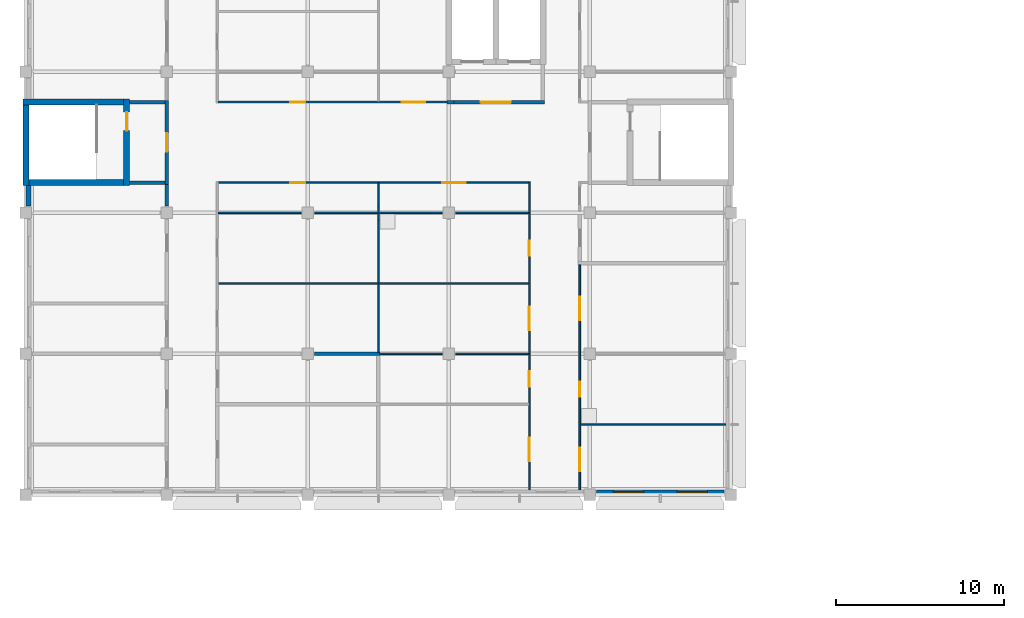
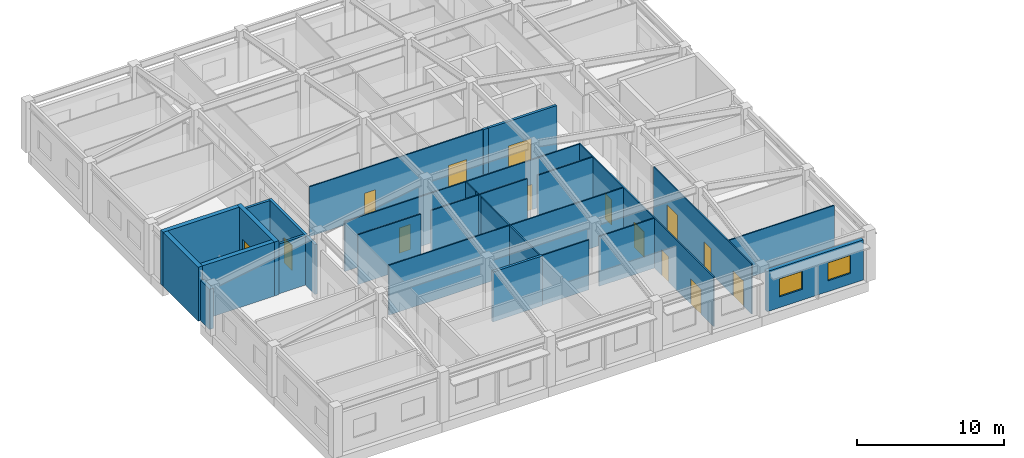
# One storey, part 56 of 136: 29 walls, 14 doors, 2 windows, 16 openings.
"""IFC4 building model written with IfcOpenShell, lengths in metres."""

import ifcopenshell
import ifcopenshell.guid

model = None  # the IFC model being written
_history = None  # IfcOwnerHistory: only IFC2X3 demands one
_inside = {}  # id of a spatial element -> (the spatial element, [elements in it])
_under = {}  # id of a project, library or spatial element -> (it, [spatial elements below it])
_declared = {}  # id of a project -> (the project, [libraries it declares])
_typed = {}  # id of a type object -> (the type object, [elements of that type])
_made_of = {}  # id of a material, layer set ... -> (it, [elements and type objects made of it])


def new_model(schema):
    """Start an empty IFC model of exactly this schema.

    Asked for "IFC4X3", IfcOpenShell would pick the latest addendum, in which some entities
    have other attributes; the version numbers below select the first issue.
    IFC2X3 requires an IfcOwnerHistory on every rooted entity: one is made here for all.
    """
    global model, _history
    if schema == "IFC4X3":
        model = ifcopenshell.file(schema_version=(4, 3, 0, 0))
    else:
        model = ifcopenshell.file(schema=schema)
    _inside.clear()
    _under.clear()
    _declared.clear()
    _typed.clear()
    _made_of.clear()
    _history = None
    if model.schema == "IFC2X3":
        org = make("IfcOrganization", Name="unknown")
        user = make(
            "IfcPersonAndOrganization",
            ThePerson=make("IfcPerson", FamilyName="unknown"),
            TheOrganization=org,
        )
        app = make(
            "IfcApplication",
            ApplicationDeveloper=org,
            Version="unknown",
            ApplicationFullName="unknown",
            ApplicationIdentifier="unknown",
        )
        _history = make(
            "IfcOwnerHistory",
            OwningUser=user,
            OwningApplication=app,
            ChangeAction="ADDED",
            CreationDate=0,
        )
    return model


def make(cls, **values):
    """One entity of the class cls with the attributes given. An attribute that is None is left unset."""
    return model.create_entity(
        cls, **{name: value for name, value in values.items() if value is not None}
    )


def rooted(cls, **values):
    """An entity with a GlobalId (a new one), such as an element, a storey or a relation."""
    return make(cls, GlobalId=ifcopenshell.guid.new(), OwnerHistory=_history, **values)


def si_unit(unit_type, name, prefix=None):
    """IfcSIUnit, for example si_unit("LENGTHUNIT", "METRE", prefix="MILLI")."""
    return make("IfcSIUnit", UnitType=unit_type, Prefix=prefix, Name=name)


def assignment(units):
    """IfcUnitAssignment: the units of a project."""
    return None if units is None else make("IfcUnitAssignment", Units=units)


def point(xyz):
    """IfcCartesianPoint."""
    return None if xyz is None else make("IfcCartesianPoint", Coordinates=xyz)


def direction(xyz):
    """IfcDirection."""
    return None if xyz is None else make("IfcDirection", DirectionRatios=xyz)


def frame(location, z_axis=None, x_axis=None):
    """IfcAxis2Placement3D, a coordinate frame: its origin and axes. An axis left out is left unset."""
    return make(
        "IfcAxis2Placement3D",
        Location=point(location),
        Axis=direction(z_axis),
        RefDirection=direction(x_axis),
    )


def frame_2d(location, x_axis=None):
    """IfcAxis2Placement2D, a coordinate frame in the plane: its origin and x axis."""
    return make(
        "IfcAxis2Placement2D", Location=point(location), RefDirection=direction(x_axis)
    )


def origin():
    """The frame at (0, 0, 0) with its axes left unset."""
    return frame((0.0, 0.0, 0.0))


def place(relative_to, where):
    """IfcLocalPlacement: puts the frame where relative to a parent placement (None: the world)."""
    return make(
        "IfcLocalPlacement", PlacementRelTo=relative_to, RelativePlacement=where
    )


def context(
    kind, dimensions, precision=None, world=None, true_north=None, identifier=None
):
    """IfcGeometricRepresentationContext, for example the 3D "Model" context."""
    return make(
        "IfcGeometricRepresentationContext",
        ContextIdentifier=identifier,
        ContextType=kind,
        CoordinateSpaceDimension=dimensions,
        Precision=precision,
        WorldCoordinateSystem=world,
        TrueNorth=true_north,
    )


def subcontext(parent, identifier, kind, view, scale=None):
    """IfcGeometricRepresentationSubContext, for example "Body" below "Model"."""
    return make(
        "IfcGeometricRepresentationSubContext",
        ContextIdentifier=identifier,
        ContextType=kind,
        ParentContext=parent,
        TargetScale=scale,
        TargetView=view,
    )


def project(units=None, contexts=None):
    """IfcProject with its units and contexts."""
    return rooted(
        "IfcProject",
        Name="project",
        RepresentationContexts=contexts,
        UnitsInContext=assignment(units),
    )


def spatial(cls, under=None, at=None, **own):
    """A site, building, storey or space (cls), placed at a placement, below another one or the project."""
    s = rooted(cls, ObjectPlacement=at, **own)
    if under is not None:
        _under.setdefault(under.id(), (under, []))[1].append(s)
    return s


def profile(cls, at=None, kind="AREA", **sizes):
    """A parametric profile (cls). Its sizes go by their IFC names, for example OverallWidth=200.0."""
    return make(cls, ProfileType=kind, Position=at, **sizes)


def rectangle(**sizes):
    """IfcRectangleProfileDef."""
    return profile("IfcRectangleProfileDef", **sizes)


def extrude(swept, where, along, depth):
    """IfcExtrudedAreaSolid: the profile swept, set in the frame where, extruded along a direction by depth."""
    return make(
        "IfcExtrudedAreaSolid",
        SweptArea=swept,
        Position=where,
        ExtrudedDirection=direction(along),
        Depth=depth,
    )


def shape(context_of_items, identifier, shape_type, items):
    """IfcShapeRepresentation: the items that make up one representation, for example the "Body"."""
    return make(
        "IfcShapeRepresentation",
        ContextOfItems=context_of_items,
        RepresentationIdentifier=identifier,
        RepresentationType=shape_type,
        Items=items,
    )


def material(Name=None, Category=None):
    """IfcMaterial."""
    return make("IfcMaterial", Name=Name, Category=Category)


def layer(
    of_material, thickness, ventilated=None, Name=None, Category=None, Priority=None
):
    """IfcMaterialLayer: one layer of a wall or slab, of a material (None: an air gap)."""
    return make(
        "IfcMaterialLayer",
        Material=of_material,
        LayerThickness=thickness,
        IsVentilated=ventilated,
        Name=Name,
        Category=Category,
        Priority=Priority,
    )


def layer_set(layers, Name=None):
    """IfcMaterialLayerSet."""
    return make("IfcMaterialLayerSet", MaterialLayers=layers, LayerSetName=Name)


def made_of(thing, what):
    """Note that an element or type object is made of a material, layer set ...; save() writes the relation."""
    if what is not None:
        _made_of.setdefault(what.id(), (what, []))[1].append(thing)
    return thing


def type_object(cls, material=None, **own):
    """A type object (cls), such as IfcWallType, which elements share."""
    return made_of(rooted(cls, **own), material)


def element(
    cls,
    number,
    at=None,
    inside=None,
    cuts=None,
    type_object=None,
    material=None,
    context=None,
    identifier="Body",
    shape_type=None,
    held_by="IfcProductDefinitionShape",
    body=None,
    shapes=None,
    **own,
):
    """One element of the class cls, such as IfcWall. Its Tag is "e" and its number.

    at: its placement. inside: the storey or other place that contains it. cuts: it is an
    opening in that element (IfcRelVoidsElement). A single representation is given by context,
    identifier, shape_type and body (its items); several are given by shapes. held_by: the class
    of the entity that holds the representations. save() writes the other relations.
    """
    e = rooted(cls, Tag="e%d" % number, ObjectPlacement=at, **own)
    if body is not None:
        shapes = [shape(context, identifier, shape_type, body)]
    if shapes is not None:
        e.Representation = make(held_by, Representations=shapes)
    if inside is not None:
        _inside.setdefault(inside.id(), (inside, []))[1].append(e)
    if cuts is not None:
        rooted(
            "IfcRelVoidsElement", RelatingBuildingElement=cuts, RelatedOpeningElement=e
        )
    if type_object is not None:
        _typed.setdefault(type_object.id(), (type_object, []))[1].append(e)
    return made_of(e, material)


def fill(opening, filler):
    """IfcRelFillsElement: the door or window that sits in an opening."""
    return rooted(
        "IfcRelFillsElement",
        RelatingOpeningElement=opening,
        RelatedBuildingElement=filler,
    )


def aggregate(whole, parts):
    """IfcRelAggregates: a whole, such as a stair, and the parts it consists of."""
    return rooted("IfcRelAggregates", RelatingObject=whole, RelatedObjects=parts)


def save(model, path):
    """Write the relations noted so far, then the file.

    IfcRelAggregates (storeys below a building ...), IfcRelContainedInSpatialStructure (elements
    in a storey), IfcRelDefinesByType, IfcRelAssociatesMaterial and IfcRelDeclares: one each for
    every whole, place, type object, material and project.
    """
    for whole, parts in _under.values():
        aggregate(whole, parts)
    for where, things in _inside.values():
        rooted(
            "IfcRelContainedInSpatialStructure",
            RelatedElements=things,
            RelatingStructure=where,
        )
    for kind, things in _typed.values():
        rooted("IfcRelDefinesByType", RelatedObjects=things, RelatingType=kind)
    for what, things in _made_of.values():
        rooted("IfcRelAssociatesMaterial", RelatedObjects=things, RelatingMaterial=what)
    for by, libraries in _declared.values():
        rooted("IfcRelDeclares", RelatingContext=by, RelatedDefinitions=libraries)
    model.write(path)


model = new_model("IFC4")

# Units and contexts
model_context = context("Model", 3, precision=1e-05, world=origin(), true_north=direction((0.0, 1.0)))
body_context = subcontext(model_context, "Body", "Model", "MODEL_VIEW")
ifc_project = project(units=[si_unit("LENGTHUNIT", "METRE"), si_unit("AREAUNIT", "SQUARE_METRE"), si_unit("VOLUMEUNIT", "CUBIC_METRE"), si_unit("PLANEANGLEUNIT", "RADIAN"), si_unit("MASSUNIT", "GRAM", prefix="KILO")], contexts=[model_context])

# Site, building, storey
site_placement = place(None, origin())
site = spatial("IfcSite", under=ifc_project, at=site_placement, CompositionType="ELEMENT")
building_placement = place(site_placement, origin())
building = spatial("IfcBuilding", under=site, at=building_placement, Name="Bougainvillea Quay General Hospital", CompositionType="ELEMENT")
storey_placement = place(building_placement, frame((0.0, 0.0, 5.39990234375)))
storey = spatial("IfcBuildingStorey", under=building, at=storey_placement, Name="L01", CompositionType="ELEMENT", Elevation=5.39990234375)

# Wall, openings, windows
ifc_material_1 = material(Name="Pale stone rainscreen cladding on insulated masonry backing, pale stone", Category="masonry")
ifc_layer_1 = layer(ifc_material_1, 0.300048828125)
ifc_layer_set_1 = layer_set([ifc_layer_1], Name="Pale stone rainscreen cladding on insulated masonry backing, pale stone")
wall_type_1 = type_object("IfcWallType", Name="External wall pale stone rainscreen 300", PredefinedType="STANDARD", material=ifc_layer_set_1)
wall_1_placement = place(storey_placement, frame((42.39990234375, 33.75, 0.0), z_axis=(0.0, 0.0, 1.0), x_axis=(1.0, 0.0, 0.0)))
wall_1 = element("IfcWall", 1, at=wall_1_placement, inside=storey, type_object=wall_type_1, Name="External wall wall/V2/L01/p0/02e", PredefinedType="STANDARD", context=body_context, shape_type="SweptSolid", body=[
    extrude(rectangle(XDim=7.60009765625, YDim=0.300048828125, at=frame_2d((3.800048828125, 0.0))), origin(), (0.0, 0.0, 1.0), 3.35009765625),
])
opening_1_placement = place(wall_1_placement, frame((1.0, 0.0, 0.89990234375)))
opening_1 = element("IfcOpeningElement", 2, at=opening_1_placement, cuts=wall_1, Name="Opening W1", PredefinedType="OPENING", context=body_context, shape_type="SweptSolid", body=[
    extrude(rectangle(XDim=1.800048828125, YDim=1.5, at=frame_2d((0.89990234375, 0.75))), frame((0.0, 0.159912109375, 0.0), z_axis=(0.0, -1.0, 0.0), x_axis=(1.0, 0.0, 0.0)), (0.0, 0.0, 1.0), 0.320068359375),
])
opening_2_placement = place(wall_1_placement, frame((4.800048828125, 0.0, 0.89990234375)))
opening_2 = element("IfcOpeningElement", 3, at=opening_2_placement, cuts=wall_1, Name="Opening W1", PredefinedType="OPENING", context=body_context, shape_type="SweptSolid", body=[
    extrude(rectangle(XDim=1.800048828125, YDim=1.5, at=frame_2d((0.89990234375, 0.75))), frame((0.0, 0.159912109375, 0.0), z_axis=(0.0, -1.0, 0.0), x_axis=(1.0, 0.0, 0.0)), (0.0, 0.0, 1.0), 0.320068359375),
])
ifc_material_2 = material(Name="Aluminium window frame with low-e double glazed unit", Category="aluminium")
window_type = type_object("IfcWindowType", Name="Window W1 1800x1500", PartitioningType="DOUBLE_PANEL_VERTICAL", PredefinedType="WINDOW", material=ifc_material_2)
window_1_placement = place(opening_1_placement, origin())
window_1 = element("IfcWindow", 4, at=window_1_placement, inside=storey, type_object=window_type, Name="Window W1 1", OverallHeight=1.5, OverallWidth=1.800048828125, PartitioningType="SINGLE_PANEL", PredefinedType="WINDOW", context=body_context, shape_type="SweptSolid", body=[
    extrude(rectangle(XDim=1.800048828125, YDim=1.5, at=frame_2d((0.89990234375, 0.75))), frame((0.0, 0.030029296875, 0.0), z_axis=(0.0, -1.0, 0.0), x_axis=(1.0, 0.0, 0.0)), (0.0, 0.0, 1.0), 0.06005859375),
])
fill(opening_1, window_1)
window_2_placement = place(opening_2_placement, origin())
window_2 = element("IfcWindow", 5, at=window_2_placement, inside=storey, type_object=window_type, Name="Window W1 2", OverallHeight=1.5, OverallWidth=1.800048828125, PartitioningType="SINGLE_PANEL", PredefinedType="WINDOW", context=body_context, shape_type="SweptSolid", body=[
    extrude(rectangle(XDim=1.800048828125, YDim=1.5, at=frame_2d((0.89990234375, 0.75))), frame((0.0, 0.030029296875, 0.0), z_axis=(0.0, -1.0, 0.0), x_axis=(1.0, 0.0, 0.0)), (0.0, 0.0, 1.0), 0.06005859375),
])
fill(opening_2, window_2)

# Wall
ifc_material_3 = material(Name="Terracotta rainscreen cladding on insulated masonry backing, terracotta", Category="masonry")
ifc_layer_2 = layer(ifc_material_3, 0.300048828125)
ifc_layer_set_2 = layer_set([ifc_layer_2], Name="Terracotta rainscreen cladding on insulated masonry backing, terracotta")
wall_type_2 = type_object("IfcWallType", Name="External wall terracotta rainscreen 300", PredefinedType="STANDARD", material=ifc_layer_set_2)
wall_2_placement = place(storey_placement, frame((8.550048828125, 52.02490234375, 0.0), z_axis=(0.0, 0.0, 1.0), x_axis=(0.0, -1.0, 0.0)))
element("IfcWall", 6, at=wall_2_placement, inside=storey, type_object=wall_type_2, Name="External wall wall/V2/L01/p0/01d", PredefinedType="STANDARD", context=body_context, shape_type="SweptSolid", body=[
    extrude(rectangle(XDim=1.224853515625, YDim=0.300048828125, at=frame_2d((0.6123046875, 0.0))), origin(), (0.0, 0.0, 1.0), 3.35009765625),
])

# Wall, openings, doors
ifc_material_4 = material(Name="Gypsum board partition on steel studs", Category="steel")
ifc_layer_3 = layer(ifc_material_4, 0.10009765625)
ifc_layer_set_3 = layer_set([ifc_layer_3], Name="Gypsum board partition on steel studs")
wall_type_3 = type_object("IfcWallType", Name="Partition 100 Gypsum board partition", PredefinedType="PARTITIONING", material=ifc_layer_set_3)
wall_3_placement = place(storey_placement, frame((38.39990234375, 52.25, 0.0), z_axis=(0.0, 0.0, 1.0), x_axis=(0.0, -1.0, 0.0)))
wall_3 = element("IfcWall", 7, at=wall_3_placement, inside=storey, type_object=wall_type_3, Name="Partition 100 mm", PredefinedType="PARTITIONING", context=body_context, shape_type="SweptSolid", body=[
    extrude(rectangle(XDim=18.35009765625, YDim=0.10009765625, at=frame_2d((9.175048828125, 0.0))), origin(), (0.0, 0.0, 1.0), 4.150146484375),
])
opening_3_placement = place(wall_3_placement, frame((3.5, 0.0, 0.0)))
opening_3 = element("IfcOpeningElement", 8, at=opening_3_placement, cuts=wall_3, Name="Opening L01.070", PredefinedType="OPENING", context=body_context, shape_type="SweptSolid", body=[
    extrude(rectangle(XDim=0.89990234375, YDim=2.10009765625, at=frame_2d((0.449951171875, 1.050048828125))), frame((0.0, 0.06005859375, 0.0), z_axis=(0.0, -1.0, 0.0), x_axis=(1.0, 0.0, 0.0)), (0.0, 0.0, 1.0), 0.1201171875),
])
opening_4_placement = place(wall_3_placement, frame((7.449951171875, 0.0, 0.0)))
opening_4 = element("IfcOpeningElement", 9, at=opening_4_placement, cuts=wall_3, Name="Opening L01.071", PredefinedType="OPENING", context=body_context, shape_type="SweptSolid", body=[
    extrude(rectangle(XDim=1.39990234375, YDim=2.10009765625, at=frame_2d((0.699951171875, 1.050048828125))), frame((0.0, 0.06005859375, 0.0), z_axis=(0.0, -1.0, 0.0), x_axis=(1.0, 0.0, 0.0)), (0.0, 0.0, 1.0), 0.1201171875),
])
opening_5_placement = place(wall_3_placement, frame((11.300048828125, 0.0, 0.0)))
opening_5 = element("IfcOpeningElement", 10, at=opening_5_placement, cuts=wall_3, Name="Opening L01.072", PredefinedType="OPENING", context=body_context, shape_type="SweptSolid", body=[
    extrude(rectangle(XDim=0.89990234375, YDim=2.10009765625, at=frame_2d((0.449951171875, 1.050048828125))), frame((0.0, 0.06005859375, 0.0), z_axis=(0.0, -1.0, 0.0), x_axis=(1.0, 0.0, 0.0)), (0.0, 0.0, 1.0), 0.1201171875),
])
opening_6_placement = place(wall_3_placement, frame((15.25, 0.0, 0.0)))
opening_6 = element("IfcOpeningElement", 11, at=opening_6_placement, cuts=wall_3, Name="Opening L01.073", PredefinedType="OPENING", context=body_context, shape_type="SweptSolid", body=[
    extrude(rectangle(XDim=1.39990234375, YDim=2.10009765625, at=frame_2d((0.699951171875, 1.050048828125))), frame((0.0, 0.06005859375, 0.0), z_axis=(0.0, -1.0, 0.0), x_axis=(1.0, 0.0, 0.0)), (0.0, 0.0, 1.0), 0.1201171875),
])
ifc_material_5 = material(Name="Solid-core timber door leaves in steel frame", Category="steel")
door_type_1 = type_object("IfcDoorType", Name="Bed door pair 1400x2100", OperationType="DOUBLE_DOOR_SINGLE_SWING", PredefinedType="DOOR", material=ifc_material_5)
door_1_placement = place(opening_4_placement, frame((1.39990234375, 0.0, 0.0), z_axis=(0.0, 0.0, 1.0), x_axis=(-1.0, 0.0, 0.0)))
door_1 = element("IfcDoor", 12, at=door_1_placement, inside=storey, type_object=door_type_1, Name="DT09 L01.071", OperationType="DOUBLE_DOOR_SINGLE_SWING", OverallHeight=2.10009765625, OverallWidth=1.39990234375, PredefinedType="DOOR", context=body_context, shape_type="SweptSolid", body=[
    extrude(rectangle(XDim=1.39990234375, YDim=2.10009765625, at=frame_2d((0.699951171875, 1.050048828125))), frame((0.0, 0.02490234375, 0.0), z_axis=(0.0, -1.0, 0.0), x_axis=(1.0, 0.0, 0.0)), (0.0, 0.0, 1.0), 0.050048828125),
])
fill(opening_4, door_1)
door_2_placement = place(opening_6_placement, frame((1.39990234375, 0.0, 0.0), z_axis=(0.0, 0.0, 1.0), x_axis=(-1.0, 0.0, 0.0)))
door_2 = element("IfcDoor", 13, at=door_2_placement, inside=storey, type_object=door_type_1, Name="DT09 L01.073", OperationType="DOUBLE_DOOR_SINGLE_SWING", OverallHeight=2.10009765625, OverallWidth=1.39990234375, PredefinedType="DOOR", context=body_context, shape_type="SweptSolid", body=[
    extrude(rectangle(XDim=1.39990234375, YDim=2.10009765625, at=frame_2d((0.699951171875, 1.050048828125))), frame((0.0, 0.02490234375, 0.0), z_axis=(0.0, -1.0, 0.0), x_axis=(1.0, 0.0, 0.0)), (0.0, 0.0, 1.0), 0.050048828125),
])
fill(opening_6, door_2)
ifc_material_6 = material(Name="Solid-core timber door leaf in steel frame", Category="steel")
door_type_2 = type_object("IfcDoorType", Name="Single leaf door 900x2100", OperationType="NOTDEFINED", PredefinedType="DOOR", material=ifc_material_6)
door_3_placement = place(opening_3_placement, frame((0.89990234375, 0.0, 0.0), z_axis=(0.0, 0.0, 1.0), x_axis=(-1.0, 0.0, 0.0)))
door_3 = element("IfcDoor", 14, at=door_3_placement, inside=storey, type_object=door_type_2, Name="DT07 L01.070", OperationType="SINGLE_SWING_RIGHT", OverallHeight=2.10009765625, OverallWidth=0.89990234375, PredefinedType="DOOR", context=body_context, shape_type="SweptSolid", body=[
    extrude(rectangle(XDim=0.89990234375, YDim=2.10009765625, at=frame_2d((0.449951171875, 1.050048828125))), frame((0.0, 0.02490234375, 0.0), z_axis=(0.0, -1.0, 0.0), x_axis=(1.0, 0.0, 0.0)), (0.0, 0.0, 1.0), 0.050048828125),
])
fill(opening_3, door_3)
door_4_placement = place(opening_5_placement, frame((0.89990234375, 0.0, 0.0), z_axis=(0.0, 0.0, 1.0), x_axis=(-1.0, 0.0, 0.0)))
door_4 = element("IfcDoor", 15, at=door_4_placement, inside=storey, type_object=door_type_2, Name="DT07 L01.072", OperationType="SINGLE_SWING_LEFT", OverallHeight=2.10009765625, OverallWidth=0.89990234375, PredefinedType="DOOR", context=body_context, shape_type="SweptSolid", body=[
    extrude(rectangle(XDim=0.89990234375, YDim=2.10009765625, at=frame_2d((0.449951171875, 1.050048828125))), frame((0.0, 0.02490234375, 0.0), z_axis=(0.0, -1.0, 0.0), x_axis=(1.0, 0.0, 0.0)), (0.0, 0.0, 1.0), 0.050048828125),
])
fill(opening_5, door_4)

# Walls
wall_4_placement = place(storey_placement, frame((19.85009765625, 46.199951171875, 0.0), z_axis=(0.0, 0.0, 1.0), x_axis=(1.0, 0.0, 0.0)))
element("IfcWall", 16, at=wall_4_placement, inside=storey, type_object=wall_type_3, Name="Partition 100 mm", PredefinedType="PARTITIONING", context=body_context, shape_type="SweptSolid", body=[
    extrude(rectangle(XDim=18.5, YDim=0.10009765625, at=frame_2d((9.25, 0.0))), origin(), (0.0, 0.0, 1.0), 4.150146484375),
])
wall_5_placement = place(storey_placement, frame((19.85009765625, 50.39990234375, 0.0), z_axis=(0.0, 0.0, 1.0), x_axis=(1.0, 0.0, 0.0)))
element("IfcWall", 17, at=wall_5_placement, inside=storey, type_object=wall_type_3, Name="Partition 100 mm", PredefinedType="PARTITIONING", context=body_context, shape_type="SweptSolid", body=[
    extrude(rectangle(XDim=4.949951171875, YDim=0.10009765625, at=frame_2d((2.47509765625, 0.0))), origin(), (0.0, 0.0, 1.0), 4.150146484375),
])
wall_6_placement = place(storey_placement, frame((25.60009765625, 50.39990234375, 0.0), z_axis=(0.0, 0.0, 1.0), x_axis=(1.0, 0.0, 0.0)))
element("IfcWall", 18, at=wall_6_placement, inside=storey, type_object=wall_type_3, Name="Partition 100 mm", PredefinedType="PARTITIONING", context=body_context, shape_type="SweptSolid", body=[
    extrude(rectangle(XDim=7.599853515625, YDim=0.10009765625, at=frame_2d((3.7998046875, 0.0))), origin(), (0.0, 0.0, 1.0), 4.150146484375),
])
wall_7_placement = place(storey_placement, frame((34.0, 50.39990234375, 0.0), z_axis=(0.0, 0.0, 1.0), x_axis=(1.0, 0.0, 0.0)))
element("IfcWall", 19, at=wall_7_placement, inside=storey, type_object=wall_type_3, Name="Partition 100 mm", PredefinedType="PARTITIONING", context=body_context, shape_type="SweptSolid", body=[
    extrude(rectangle(XDim=4.35009765625, YDim=0.10009765625, at=frame_2d((2.175048828125, 0.0))), origin(), (0.0, 0.0, 1.0), 4.150146484375),
])

# Wall, openings, doors
wall_8_placement = place(storey_placement, frame((19.85009765625, 52.199951171875, 0.0), z_axis=(0.0, 0.0, 1.0), x_axis=(1.0, 0.0, 0.0)))
wall_8 = element("IfcWall", 20, at=wall_8_placement, inside=storey, type_object=wall_type_3, Name="Partition 100 mm", PredefinedType="PARTITIONING", context=body_context, shape_type="SweptSolid", body=[
    extrude(rectangle(XDim=18.5, YDim=0.10009765625, at=frame_2d((9.25, 0.0))), origin(), (0.0, 0.0, 1.0), 4.150146484375),
])
opening_7_placement = place(wall_8_placement, frame((4.300048828125, 0.0, 0.0)))
opening_7 = element("IfcOpeningElement", 21, at=opening_7_placement, cuts=wall_8, Name="Opening L01.064", PredefinedType="OPENING", context=body_context, shape_type="SweptSolid", body=[
    extrude(rectangle(XDim=0.89990234375, YDim=2.10009765625, at=frame_2d((0.449951171875, 1.050048828125))), frame((0.0, 0.06005859375, 0.0), z_axis=(0.0, -1.0, 0.0), x_axis=(1.0, 0.0, 0.0)), (0.0, 0.0, 1.0), 0.1201171875),
])
opening_8_placement = place(wall_8_placement, frame((13.35009765625, 0.0, 0.0)))
opening_8 = element("IfcOpeningElement", 22, at=opening_8_placement, cuts=wall_8, Name="Opening L01.069", PredefinedType="OPENING", context=body_context, shape_type="SweptSolid", body=[
    extrude(rectangle(XDim=1.39990234375, YDim=2.10009765625, at=frame_2d((0.699951171875, 1.050048828125))), frame((0.0, 0.06005859375, 0.0), z_axis=(0.0, -1.0, 0.0), x_axis=(1.0, 0.0, 0.0)), (0.0, 0.0, 1.0), 0.1201171875),
])
door_5_placement = place(opening_8_placement, frame((1.39990234375, 0.0, 0.0), z_axis=(0.0, 0.0, 1.0), x_axis=(-1.0, 0.0, 0.0)))
door_5 = element("IfcDoor", 23, at=door_5_placement, inside=storey, type_object=door_type_1, Name="DT09 L01.069", OperationType="DOUBLE_DOOR_SINGLE_SWING", OverallHeight=2.10009765625, OverallWidth=1.39990234375, PredefinedType="DOOR", context=body_context, shape_type="SweptSolid", body=[
    extrude(rectangle(XDim=1.39990234375, YDim=2.10009765625, at=frame_2d((0.699951171875, 1.050048828125))), frame((0.0, 0.02490234375, 0.0), z_axis=(0.0, -1.0, 0.0), x_axis=(1.0, 0.0, 0.0)), (0.0, 0.0, 1.0), 0.050048828125),
])
fill(opening_8, door_5)
door_6_placement = place(opening_7_placement, frame((0.89990234375, 0.0, 0.0), z_axis=(0.0, 0.0, 1.0), x_axis=(-1.0, 0.0, 0.0)))
door_6 = element("IfcDoor", 24, at=door_6_placement, inside=storey, type_object=door_type_2, Name="DT07 L01.064", OperationType="SINGLE_SWING_RIGHT", OverallHeight=2.10009765625, OverallWidth=0.89990234375, PredefinedType="DOOR", context=body_context, shape_type="SweptSolid", body=[
    extrude(rectangle(XDim=0.89990234375, YDim=2.10009765625, at=frame_2d((0.449951171875, 1.050048828125))), frame((0.0, 0.02490234375, 0.0), z_axis=(0.0, -1.0, 0.0), x_axis=(1.0, 0.0, 0.0)), (0.0, 0.0, 1.0), 0.050048828125),
])
fill(opening_7, door_6)

wall_9_placement = place(storey_placement, frame((19.85009765625, 57.0, 0.0), z_axis=(0.0, 0.0, 1.0), x_axis=(1.0, 0.0, 0.0)))
wall_9 = element("IfcWall", 25, at=wall_9_placement, inside=storey, type_object=wall_type_3, Name="Partition 100 mm", PredefinedType="PARTITIONING", context=body_context, shape_type="SweptSolid", body=[
    extrude(rectangle(XDim=13.64990234375, YDim=0.10009765625, at=frame_2d((6.824951171875, 0.0))), origin(), (0.0, 0.0, 1.0), 4.150146484375),
])
opening_9_placement = place(wall_9_placement, frame((4.300048828125, 0.0, 0.0)))
opening_9 = element("IfcOpeningElement", 26, at=opening_9_placement, cuts=wall_9, Name="Opening L01.083", PredefinedType="OPENING", context=body_context, shape_type="SweptSolid", body=[
    extrude(rectangle(XDim=0.89990234375, YDim=2.10009765625, at=frame_2d((0.449951171875, 1.050048828125))), frame((0.0, 0.06005859375, 0.0), z_axis=(0.0, -1.0, 0.0), x_axis=(1.0, 0.0, 0.0)), (0.0, 0.0, 1.0), 0.1201171875),
])
opening_10_placement = place(wall_9_placement, frame((10.949951171875, 0.0, 0.0)))
opening_10 = element("IfcOpeningElement", 27, at=opening_10_placement, cuts=wall_9, Name="Opening L01.088", PredefinedType="OPENING", context=body_context, shape_type="SweptSolid", body=[
    extrude(rectangle(XDim=1.39990234375, YDim=2.10009765625, at=frame_2d((0.699951171875, 1.050048828125))), frame((0.0, 0.06005859375, 0.0), z_axis=(0.0, -1.0, 0.0), x_axis=(1.0, 0.0, 0.0)), (0.0, 0.0, 1.0), 0.1201171875),
])
door_7_placement = place(opening_10_placement, origin())
door_7 = element("IfcDoor", 28, at=door_7_placement, inside=storey, type_object=door_type_1, Name="DT09 L01.088", OperationType="DOUBLE_DOOR_SINGLE_SWING", OverallHeight=2.10009765625, OverallWidth=1.39990234375, PredefinedType="DOOR", context=body_context, shape_type="SweptSolid", body=[
    extrude(rectangle(XDim=1.39990234375, YDim=2.10009765625, at=frame_2d((0.699951171875, 1.050048828125))), frame((0.0, 0.02490234375, 0.0), z_axis=(0.0, -1.0, 0.0), x_axis=(1.0, 0.0, 0.0)), (0.0, 0.0, 1.0), 0.050048828125),
])
fill(opening_10, door_7)
door_8_placement = place(opening_9_placement, origin())
door_8 = element("IfcDoor", 29, at=door_8_placement, inside=storey, type_object=door_type_2, Name="DT07 L01.083", OperationType="SINGLE_SWING_LEFT", OverallHeight=2.10009765625, OverallWidth=0.89990234375, PredefinedType="DOOR", context=body_context, shape_type="SweptSolid", body=[
    extrude(rectangle(XDim=0.89990234375, YDim=2.10009765625, at=frame_2d((0.449951171875, 1.050048828125))), frame((0.0, 0.02490234375, 0.0), z_axis=(0.0, -1.0, 0.0), x_axis=(1.0, 0.0, 0.0)), (0.0, 0.0, 1.0), 0.050048828125),
])
fill(opening_9, door_8)

wall_10_placement = place(storey_placement, frame((41.39990234375, 47.300048828125, 0.0), z_axis=(0.0, 0.0, 1.0), x_axis=(0.0, -1.0, 0.0)))
wall_10 = element("IfcWall", 30, at=wall_10_placement, inside=storey, type_object=wall_type_3, Name="Partition 100 mm", PredefinedType="PARTITIONING", context=body_context, shape_type="SweptSolid", body=[
    extrude(rectangle(XDim=13.400146484375, YDim=0.10009765625, at=frame_2d((6.7001953125, 0.0))), origin(), (0.0, 0.0, 1.0), 4.150146484375),
])
opening_11_placement = place(wall_10_placement, frame((1.89990234375, 0.0, 0.0)))
opening_11 = element("IfcOpeningElement", 31, at=opening_11_placement, cuts=wall_10, Name="Opening L01.076", PredefinedType="OPENING", context=body_context, shape_type="SweptSolid", body=[
    extrude(rectangle(XDim=1.39990234375, YDim=2.10009765625, at=frame_2d((0.699951171875, 1.050048828125))), frame((0.0, 0.06005859375, 0.0), z_axis=(0.0, -1.0, 0.0), x_axis=(1.0, 0.0, 0.0)), (0.0, 0.0, 1.0), 0.1201171875),
])
opening_12_placement = place(wall_10_placement, frame((6.949951171875, 0.0, 0.0)))
opening_12 = element("IfcOpeningElement", 32, at=opening_12_placement, cuts=wall_10, Name="Opening L01.077", PredefinedType="OPENING", context=body_context, shape_type="SweptSolid", body=[
    extrude(rectangle(XDim=0.89990234375, YDim=2.10009765625, at=frame_2d((0.449951171875, 1.050048828125))), frame((0.0, 0.06005859375, 0.0), z_axis=(0.0, -1.0, 0.0), x_axis=(1.0, 0.0, 0.0)), (0.0, 0.0, 1.0), 0.1201171875),
])
opening_13_placement = place(wall_10_placement, frame((10.89990234375, 0.0, 0.0)))
opening_13 = element("IfcOpeningElement", 33, at=opening_13_placement, cuts=wall_10, Name="Opening L01.078", PredefinedType="OPENING", context=body_context, shape_type="SweptSolid", body=[
    extrude(rectangle(XDim=1.39990234375, YDim=2.10009765625, at=frame_2d((0.699951171875, 1.050048828125))), frame((0.0, 0.06005859375, 0.0), z_axis=(0.0, -1.0, 0.0), x_axis=(1.0, 0.0, 0.0)), (0.0, 0.0, 1.0), 0.1201171875),
])
door_9_placement = place(opening_11_placement, origin())
door_9 = element("IfcDoor", 34, at=door_9_placement, inside=storey, type_object=door_type_1, Name="DT09 L01.076", OperationType="DOUBLE_DOOR_SINGLE_SWING", OverallHeight=2.10009765625, OverallWidth=1.39990234375, PredefinedType="DOOR", context=body_context, shape_type="SweptSolid", body=[
    extrude(rectangle(XDim=1.39990234375, YDim=2.10009765625, at=frame_2d((0.699951171875, 1.050048828125))), frame((0.0, 0.02490234375, 0.0), z_axis=(0.0, -1.0, 0.0), x_axis=(1.0, 0.0, 0.0)), (0.0, 0.0, 1.0), 0.050048828125),
])
fill(opening_11, door_9)
door_10_placement = place(opening_13_placement, origin())
door_10 = element("IfcDoor", 35, at=door_10_placement, inside=storey, type_object=door_type_1, Name="DT09 L01.078", OperationType="DOUBLE_DOOR_SINGLE_SWING", OverallHeight=2.10009765625, OverallWidth=1.39990234375, PredefinedType="DOOR", context=body_context, shape_type="SweptSolid", body=[
    extrude(rectangle(XDim=1.39990234375, YDim=2.10009765625, at=frame_2d((0.699951171875, 1.050048828125))), frame((0.0, 0.02490234375, 0.0), z_axis=(0.0, -1.0, 0.0), x_axis=(1.0, 0.0, 0.0)), (0.0, 0.0, 1.0), 0.050048828125),
])
fill(opening_13, door_10)
door_11_placement = place(opening_12_placement, origin())
door_11 = element("IfcDoor", 36, at=door_11_placement, inside=storey, type_object=door_type_2, Name="DT07 L01.077", OperationType="SINGLE_SWING_RIGHT", OverallHeight=2.10009765625, OverallWidth=0.89990234375, PredefinedType="DOOR", context=body_context, shape_type="SweptSolid", body=[
    extrude(rectangle(XDim=0.89990234375, YDim=2.10009765625, at=frame_2d((0.449951171875, 1.050048828125))), frame((0.0, 0.02490234375, 0.0), z_axis=(0.0, -1.0, 0.0), x_axis=(1.0, 0.0, 0.0)), (0.0, 0.0, 1.0), 0.050048828125),
])
fill(opening_12, door_11)

# Walls
wall_11_placement = place(storey_placement, frame((29.39990234375, 52.14990234375, 0.0), z_axis=(0.0, 0.0, 1.0), x_axis=(0.0, -1.0, 0.0)))
element("IfcWall", 37, at=wall_11_placement, inside=storey, type_object=wall_type_3, Name="Partition 100 mm", PredefinedType="PARTITIONING", context=body_context, shape_type="SweptSolid", body=[
    extrude(rectangle(XDim=1.349853515625, YDim=0.10009765625, at=frame_2d((0.6748046875, 0.0))), origin(), (0.0, 0.0, 1.0), 4.150146484375),
])
for number, where, z_axis, x_axis, name in (
    (38, (29.39990234375, 50.800048828125, 0.0), (0.0, 0.0, 1.0), (0.0, -1.0, 0.0), "Partition 100 mm"),
    (39, (29.39990234375, 50.35009765625, 0.0), (0.0, 0.0, 1.0), (0.0, -1.0, 0.0), "Partition 100 mm"),
):
    element("IfcWall", number, at=place(storey_placement, frame(where, z_axis=z_axis, x_axis=x_axis)), inside=storey, type_object=wall_type_3, Name=name, PredefinedType="PARTITIONING", context=body_context, shape_type="SweptSolid", body=[
        extrude(rectangle(XDim=0.35009765625, YDim=0.10009765625, at=frame_2d((0.175048828125, 0.0))), origin(), (0.0, 0.0, 1.0), 4.150146484375),
    ])
wall_12_placement = place(storey_placement, frame((29.39990234375, 50.0, 0.0), z_axis=(0.0, 0.0, 1.0), x_axis=(0.0, -1.0, 0.0)))
element("IfcWall", 40, at=wall_12_placement, inside=storey, type_object=wall_type_3, Name="Partition 100 mm", PredefinedType="PARTITIONING", context=body_context, shape_type="SweptSolid", body=[
    extrude(rectangle(XDim=3.75, YDim=0.10009765625, at=frame_2d((1.875, 0.0))), origin(), (0.0, 0.0, 1.0), 4.150146484375),
])
wall_13_placement = place(storey_placement, frame((29.39990234375, 46.14990234375, 0.0), z_axis=(0.0, 0.0, 1.0), x_axis=(0.0, -1.0, 0.0)))
element("IfcWall", 41, at=wall_13_placement, inside=storey, type_object=wall_type_3, Name="Partition 100 mm", PredefinedType="PARTITIONING", context=body_context, shape_type="SweptSolid", body=[
    extrude(rectangle(XDim=4.0498046875, YDim=0.10009765625, at=frame_2d((2.02490234375, 0.0))), origin(), (0.0, 0.0, 1.0), 4.150146484375),
])
wall_14_placement = place(storey_placement, frame((29.5, 42.0, 0.0), z_axis=(0.0, 0.0, 1.0), x_axis=(1.0, 0.0, 0.0)))
element("IfcWall", 42, at=wall_14_placement, inside=storey, type_object=wall_type_3, Name="Partition 100 mm", PredefinedType="PARTITIONING", context=body_context, shape_type="SweptSolid", body=[
    extrude(rectangle(XDim=3.699951171875, YDim=0.10009765625, at=frame_2d((1.85009765625, 0.0))), origin(), (0.0, 0.0, 1.0), 4.150146484375),
])
wall_15_placement = place(storey_placement, frame((34.0, 42.0, 0.0), z_axis=(0.0, 0.0, 1.0), x_axis=(1.0, 0.0, 0.0)))
element("IfcWall", 43, at=wall_15_placement, inside=storey, type_object=wall_type_3, Name="Partition 100 mm", PredefinedType="PARTITIONING", context=body_context, shape_type="SweptSolid", body=[
    extrude(rectangle(XDim=4.35009765625, YDim=0.10009765625, at=frame_2d((2.175048828125, 0.0))), origin(), (0.0, 0.0, 1.0), 4.150146484375),
])
wall_16_placement = place(storey_placement, frame((41.449951171875, 37.800048828125, 0.0), z_axis=(0.0, 0.0, 1.0), x_axis=(1.0, 0.0, 0.0)))
element("IfcWall", 44, at=wall_16_placement, inside=storey, type_object=wall_type_3, Name="Partition 100 mm", PredefinedType="PARTITIONING", context=body_context, shape_type="SweptSolid", body=[
    extrude(rectangle(XDim=8.650146484375, YDim=0.10009765625, at=frame_2d((4.3251953125, 0.0))), origin(), (0.0, 0.0, 1.0), 3.647216796875),
])
ifc_material_7 = material(Name="Autoclaved aerated block wall, plastered")
ifc_layer_4 = layer(ifc_material_7, 0.199951171875)
ifc_layer_set_4 = layer_set([ifc_layer_4], Name="Autoclaved aerated block wall, plastered")
wall_type_4 = type_object("IfcWallType", Name="Partition 200 Autoclaved aerated block wall", PredefinedType="SOLIDWALL", material=ifc_layer_set_4)
wall_17_placement = place(storey_placement, frame((16.800048828125, 50.800048828125, 0.0), z_axis=(0.0, 0.0, 1.0), x_axis=(0.0, 1.0, 0.0)))
element("IfcWall", 45, at=wall_17_placement, inside=storey, type_object=wall_type_4, Name="Partition 200 mm", PredefinedType="SOLIDWALL", context=body_context, shape_type="SweptSolid", body=[
    extrude(rectangle(XDim=1.300048828125, YDim=0.199951171875, at=frame_2d((0.64990234375, 0.0))), origin(), (0.0, 0.0, 1.0), 4.150146484375),
])
ifc_material_8 = material(Name="Fire-rated autoclaved aerated block wall, plastered")
ifc_layer_5 = layer(ifc_material_8, 0.199951171875)
ifc_layer_set_5 = layer_set([ifc_layer_5], Name="Fire-rated autoclaved aerated block wall, plastered")
wall_type_5 = type_object("IfcWallType", Name="Partition 200 Fire-rated autoclaved aerated block wall EI 120", PredefinedType="SOLIDWALL", material=ifc_layer_set_5)
wall_18_placement = place(storey_placement, frame((33.5, 57.0, 0.0), z_axis=(0.0, 0.0, 1.0), x_axis=(1.0, 0.0, 0.0)))
element("IfcWall", 46, at=wall_18_placement, inside=storey, type_object=wall_type_5, Name="Partition 200 mm EI 120", PredefinedType="SOLIDWALL", context=body_context, shape_type="SweptSolid", body=[
    extrude(rectangle(XDim=0.39990234375, YDim=0.199951171875, at=frame_2d((0.199951171875, 0.0))), origin(), (0.0, 0.0, 1.0), 4.150146484375),
])

# Wall, opening, door
wall_19_placement = place(storey_placement, frame((33.89990234375, 57.0, 0.0), z_axis=(0.0, 0.0, 1.0), x_axis=(1.0, 0.0, 0.0)))
wall_19 = element("IfcWall", 47, at=wall_19_placement, inside=storey, type_object=wall_type_5, Name="Partition 200 mm EI 120", PredefinedType="SOLIDWALL", context=body_context, shape_type="SweptSolid", body=[
    extrude(rectangle(XDim=5.400146484375, YDim=0.199951171875, at=frame_2d((2.7001953125, 0.0))), origin(), (0.0, 0.0, 1.0), 4.150146484375),
])
opening_14_placement = place(wall_19_placement, frame((1.60009765625, 0.0, 0.0)))
opening_14 = element("IfcOpeningElement", 48, at=opening_14_placement, cuts=wall_19, Name="Opening L01.056", PredefinedType="OPENING", context=body_context, shape_type="SweptSolid", body=[
    extrude(rectangle(XDim=1.800048828125, YDim=2.10009765625, at=frame_2d((0.89990234375, 1.050048828125))), frame((0.0, 0.10986328125, 0.0), z_axis=(0.0, -1.0, 0.0), x_axis=(1.0, 0.0, 0.0)), (0.0, 0.0, 1.0), 0.219970703125),
])
ifc_material_9 = material(Name="Steel fire door leaves in steel frame", Category="steel")
door_type_3 = type_object("IfcDoorType", Name="Steel double leaf door 1800x2100 FD60", OperationType="DOUBLE_DOOR_SINGLE_SWING", PredefinedType="DOOR", material=ifc_material_9)
door_12_placement = place(opening_14_placement, origin())
door_12 = element("IfcDoor", 49, at=door_12_placement, inside=storey, type_object=door_type_3, Name="DT05 L01.056", OperationType="DOUBLE_DOOR_SINGLE_SWING", OverallHeight=2.10009765625, OverallWidth=1.800048828125, PredefinedType="DOOR", context=body_context, shape_type="SweptSolid", body=[
    extrude(rectangle(XDim=1.800048828125, YDim=2.10009765625, at=frame_2d((0.89990234375, 1.050048828125))), frame((0.0, 0.02490234375, 0.0), z_axis=(0.0, -1.0, 0.0), x_axis=(1.0, 0.0, 0.0)), (0.0, 0.0, 1.0), 0.050048828125),
])
fill(opening_14, door_12)

wall_20_placement = place(storey_placement, frame((16.800048828125, 52.10009765625, 0.0), z_axis=(0.0, 0.0, 1.0), x_axis=(0.0, 1.0, 0.0)))
wall_20 = element("IfcWall", 50, at=wall_20_placement, inside=storey, type_object=wall_type_5, Name="Partition 200 mm EI 120", PredefinedType="SOLIDWALL", context=body_context, shape_type="SweptSolid", body=[
    extrude(rectangle(XDim=5.0, YDim=0.199951171875, at=frame_2d((2.5, 0.0))), origin(), (0.0, 0.0, 1.0), 4.150146484375),
])
opening_15_placement = place(wall_20_placement, frame((1.949951171875, 0.0, 0.0)))
opening_15 = element("IfcOpeningElement", 51, at=opening_15_placement, cuts=wall_20, Name="Opening L01.054", PredefinedType="OPENING", context=body_context, shape_type="SweptSolid", body=[
    extrude(rectangle(XDim=1.10009765625, YDim=2.10009765625, at=frame_2d((0.550048828125, 1.050048828125))), frame((0.0, 0.10986328125, 0.0), z_axis=(0.0, -1.0, 0.0), x_axis=(1.0, 0.0, 0.0)), (0.0, 0.0, 1.0), 0.219970703125),
])
ifc_material_10 = material(Name="Steel fire door leaf in steel frame", Category="steel")
door_type_4 = type_object("IfcDoorType", Name="Steel single leaf door 1100x2100 FD60", OperationType="NOTDEFINED", PredefinedType="DOOR", material=ifc_material_10)
door_13_placement = place(opening_15_placement, origin())
door_13 = element("IfcDoor", 52, at=door_13_placement, inside=storey, type_object=door_type_4, Name="DT04 L01.054", OperationType="SINGLE_SWING_LEFT", OverallHeight=2.10009765625, OverallWidth=1.10009765625, PredefinedType="DOOR", context=body_context, shape_type="SweptSolid", body=[
    extrude(rectangle(XDim=1.10009765625, YDim=2.10009765625, at=frame_2d((0.550048828125, 1.050048828125))), frame((0.0, 0.02490234375, 0.0), z_axis=(0.0, -1.0, 0.0), x_axis=(1.0, 0.0, 0.0)), (0.0, 0.0, 1.0), 0.050048828125),
])
fill(opening_15, door_13)

# Walls
for number, where, z_axis, x_axis, name in (
    (53, (14.574951171875, 52.199951171875, 0.0), (0.0, 0.0, 1.0), (1.0, 0.0, 0.0), "Partition 200 mm EI 120"),
    (54, (14.574951171875, 57.0, 0.0), (0.0, 0.0, 1.0), (1.0, 0.0, 0.0), "Partition 200 mm EI 120"),
):
    element("IfcWall", number, at=place(storey_placement, frame(where, z_axis=z_axis, x_axis=x_axis)), inside=storey, type_object=wall_type_5, Name=name, PredefinedType="SOLIDWALL", context=body_context, shape_type="SweptSolid", body=[
        extrude(rectangle(XDim=2.125, YDim=0.199951171875, at=frame_2d((1.0625, 0.0))), origin(), (0.0, 0.0, 1.0), 4.150146484375),
    ])
ifc_layer_6 = layer(ifc_material_8, 0.199951171875)
ifc_layer_set_6 = layer_set([ifc_layer_6], Name="Fire-rated autoclaved aerated block wall, plastered")
wall_type_6 = type_object("IfcWallType", Name="Partition 200 Fire-rated autoclaved aerated block wall EI 60", PredefinedType="SOLIDWALL", material=ifc_layer_set_6)
wall_21_placement = place(storey_placement, frame((25.60009765625, 42.0, 0.0), z_axis=(0.0, 0.0, 1.0), x_axis=(1.0, 0.0, 0.0)))
element("IfcWall", 55, at=wall_21_placement, inside=storey, type_object=wall_type_6, Name="Partition 200 mm EI 60", PredefinedType="SOLIDWALL", context=body_context, shape_type="SweptSolid", body=[
    extrude(rectangle(XDim=3.89990234375, YDim=0.199951171875, at=frame_2d((1.949951171875, 0.0))), origin(), (0.0, 0.0, 1.0), 4.150146484375),
])
ifc_material_11 = material(Name="Concrete C40", Category="concrete")
ifc_layer_7 = layer(ifc_material_11, 0.35009765625)
ifc_layer_set_7 = layer_set([ifc_layer_7], Name="Concrete C40")
wall_type_7 = type_object("IfcWallType", Name="RC SHEAR WALL 350 C40", PredefinedType="SHEAR", material=ifc_layer_set_7)
wall_22_placement = place(storey_placement, frame((8.22509765625, 57.0, 0.0), z_axis=(0.0, 0.0, 1.0), x_axis=(1.0, 0.0, 0.0)))
element("IfcWall", 56, at=wall_22_placement, inside=storey, type_object=wall_type_7, Name="Shear wall L01", PredefinedType="SHEAR", context=body_context, shape_type="SweptSolid", body=[
    extrude(rectangle(XDim=6.0, YDim=0.35009765625, at=frame_2d((3.0, 0.0))), origin(), (0.0, 0.0, 1.0), 4.5),
])
wall_23_placement = place(storey_placement, frame((8.39990234375, 52.02490234375, 0.0), z_axis=(0.0, 0.0, 1.0), x_axis=(0.0, 1.0, 0.0)))
element("IfcWall", 57, at=wall_23_placement, inside=storey, type_object=wall_type_7, Name="Shear wall L01", PredefinedType="SHEAR", context=body_context, shape_type="SweptSolid", body=[
    extrude(rectangle(XDim=4.800048828125, YDim=0.35009765625, at=frame_2d((2.39990234375, 0.0))), origin(), (0.0, 0.0, 1.0), 4.5),
])
wall_24_placement = place(storey_placement, frame((8.574951171875, 52.199951171875, 0.0), z_axis=(0.0, 0.0, 1.0), x_axis=(1.0, 0.0, 0.0)))
element("IfcWall", 58, at=wall_24_placement, inside=storey, type_object=wall_type_7, Name="Shear wall L01", PredefinedType="SHEAR", context=body_context, shape_type="SweptSolid", body=[
    extrude(rectangle(XDim=5.650146484375, YDim=0.35009765625, at=frame_2d((2.8251953125, 0.0))), origin(), (0.0, 0.0, 1.0), 4.5),
])

# Wall, opening, door
wall_25_placement = place(storey_placement, frame((14.39990234375, 52.02490234375, 0.0), z_axis=(0.0, 0.0, 1.0), x_axis=(0.0, 1.0, 0.0)))
wall_25 = element("IfcWall", 59, at=wall_25_placement, inside=storey, type_object=wall_type_7, Name="Shear wall L01", PredefinedType="SHEAR", context=body_context, shape_type="SweptSolid", body=[
    extrude(rectangle(XDim=5.150146484375, YDim=0.35009765625, at=frame_2d((2.5751953125, 0.0))), origin(), (0.0, 0.0, 1.0), 4.5),
])
opening_16_placement = place(wall_25_placement, frame((3.27490234375, 0.0, 0.0)))
opening_16 = element("IfcOpeningElement", 60, at=opening_16_placement, cuts=wall_25, Name="Opening L01.031", PredefinedType="OPENING", context=body_context, shape_type="SweptSolid", body=[
    extrude(rectangle(XDim=1.10009765625, YDim=2.10009765625, at=frame_2d((0.550048828125, 1.050048828125))), frame((0.0, 0.18505859375, 0.0), z_axis=(0.0, -1.0, 0.0), x_axis=(1.0, 0.0, 0.0)), (0.0, 0.0, 1.0), 0.3701171875),
])
door_14_placement = place(opening_16_placement, origin())
door_14 = element("IfcDoor", 61, at=door_14_placement, inside=storey, type_object=door_type_4, Name="DT04 L01.031", OperationType="SINGLE_SWING_RIGHT", OverallHeight=2.10009765625, OverallWidth=1.10009765625, PredefinedType="DOOR", context=body_context, shape_type="SweptSolid", body=[
    extrude(rectangle(XDim=1.10009765625, YDim=2.10009765625, at=frame_2d((0.550048828125, 1.050048828125))), frame((0.0, 0.02490234375, 0.0), z_axis=(0.0, -1.0, 0.0), x_axis=(1.0, 0.0, 0.0)), (0.0, 0.0, 1.0), 0.050048828125),
])
fill(opening_16, door_14)

save(model, "model.ifc")
